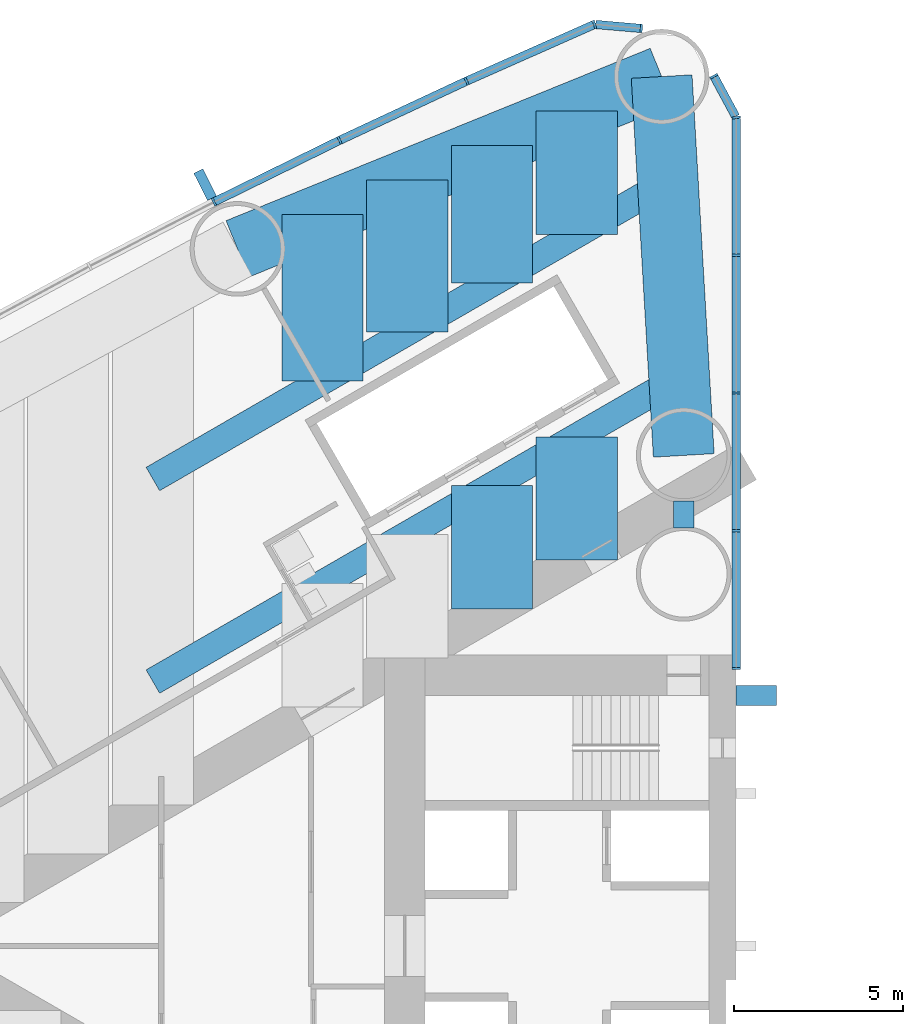
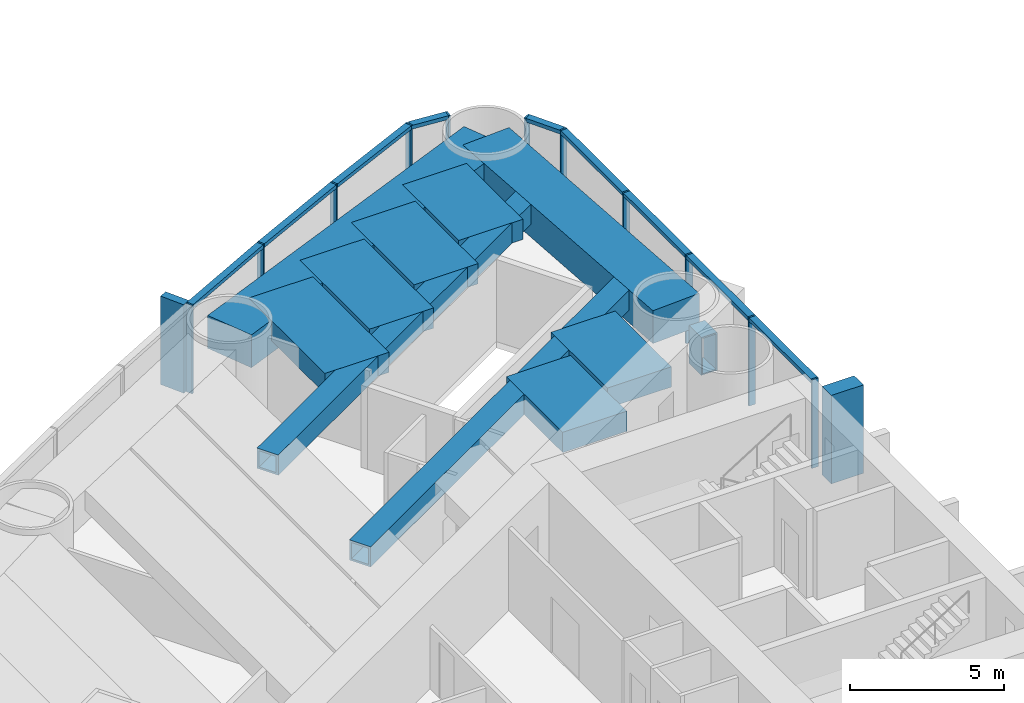
# One storey, part 5 of 18: 22 members, 11 beams, 2 elements without a shape of their own.
"""IFC4 building model written with IfcOpenShell, lengths in metres."""

from ifc_helpers import new_model, si_unit, direction, frame, origin, origin_2d, place, context, subcontext, project, spatial, rectangle, hollow_rectangle, extrude, material, material_profile, profile_set, type_object, element, aggregate, save


model = new_model("IFC4")

# Units and contexts
model_context = context("Model", 3, precision=1e-05, world=origin(), true_north=direction((0.0, 1.0)))
body_context = subcontext(model_context, "Body", "Model", "MODEL_VIEW")
ifc_project = project(units=[si_unit("LENGTHUNIT", "METRE"), si_unit("AREAUNIT", "SQUARE_METRE"), si_unit("VOLUMEUNIT", "CUBIC_METRE"), si_unit("PLANEANGLEUNIT", "RADIAN"), si_unit("MASSUNIT", "GRAM", prefix="KILO")], contexts=[model_context])

# Site, building, storey
site_placement = place(None, origin())
site = spatial("IfcSite", under=ifc_project, at=site_placement, CompositionType="ELEMENT")
building_placement = place(site_placement, origin())
building = spatial("IfcBuilding", under=site, at=building_placement, Name="Lancet Gate Hotel", CompositionType="ELEMENT")
storey_placement = place(building_placement, frame((0.0, 0.0, 53.0)))
storey = spatial("IfcBuildingStorey", under=building, at=storey_placement, Name="L13", CompositionType="ELEMENT", Elevation=53.0)

# Curtain wall, members
ifc_material_1 = material(Name="Aluminium curtain wall", Category="aluminium")
curtain_wall_type = type_object("IfcCurtainWallType", Name="Tower unitised curtain wall", PredefinedType="USERDEFINED", material=ifc_material_1)
curtain_wall_1_placement = place(storey_placement, origin())
curtain_wall_1 = element("IfcCurtainWall", 1, at=curtain_wall_1_placement, inside=storey, type_object=curtain_wall_type, Name="T1 L13 curtain wall 1", ObjectType="UNITISED CURTAIN WALL", PredefinedType="USERDEFINED")
ifc_material_2 = material(Name="Aluminium mullion", Category="aluminium")
ifc_material_profile_1 = material_profile(ifc_material_2, rectangle(XDim=0.06494140625, YDim=0.25, at=origin_2d()), Name="MULLION 65x250")
ifc_profile_set_1 = profile_set([ifc_material_profile_1], Name="Aluminium mullion")
member_type_1 = type_object("IfcMemberType", Name="Aluminium mullion 65x250", PredefinedType="MULLION", material=ifc_profile_set_1)
member_1_placement = place(storey_placement, frame((-27.5, 8.199951171875, 0.0), z_axis=(0.0, 0.0, 1.0), x_axis=(0.0, 1.0, 0.0)))
member_1 = element("IfcMember", 2, at=member_1_placement, type_object=member_type_1, Name="T1 L13 curtain wall 1 mullion 1", PredefinedType="MULLION", context=body_context, shape_type="SweptSolid", body=[
    extrude(rectangle(XDim=0.06494140625, YDim=0.25, at=origin_2d()), origin(), (0.0, 0.0, 1.0), 3.5),
])
member_2_placement = place(storey_placement, frame((-27.5, 12.272705078125, 0.0), z_axis=(0.0, 0.0, 1.0), x_axis=(0.0, 1.0, 0.0)))
member_2 = element("IfcMember", 3, at=member_2_placement, type_object=member_type_1, Name="T1 L13 curtain wall 1 mullion 2", PredefinedType="MULLION", context=body_context, shape_type="SweptSolid", body=[
    extrude(rectangle(XDim=0.06494140625, YDim=0.25, at=origin_2d()), origin(), (0.0, 0.0, 1.0), 3.5),
])
member_3_placement = place(storey_placement, frame((-27.5, 16.345703125, 0.0), z_axis=(0.0, 0.0, 1.0), x_axis=(0.0, 1.0, 0.0)))
member_3 = element("IfcMember", 4, at=member_3_placement, type_object=member_type_1, Name="T1 L13 curtain wall 1 mullion 3", PredefinedType="MULLION", context=body_context, shape_type="SweptSolid", body=[
    extrude(rectangle(XDim=0.06494140625, YDim=0.25, at=origin_2d()), origin(), (0.0, 0.0, 1.0), 3.5),
])
member_4_placement = place(storey_placement, frame((-27.5, 20.41845703125, 0.0), z_axis=(0.0, 0.0, 1.0), x_axis=(0.0, 1.0, 0.0)))
member_4 = element("IfcMember", 5, at=member_4_placement, type_object=member_type_1, Name="T1 L13 curtain wall 1 mullion 4", PredefinedType="MULLION", context=body_context, shape_type="SweptSolid", body=[
    extrude(rectangle(XDim=0.06494140625, YDim=0.25, at=origin_2d()), origin(), (0.0, 0.0, 1.0), 3.5),
])
member_5_placement = place(storey_placement, frame((-27.5, 24.4912109375, 0.0), z_axis=(0.0, 0.0, 1.0), x_axis=(-0.123482502544, 0.992346749662, 0.0)))
member_5 = element("IfcMember", 6, at=member_5_placement, type_object=member_type_1, Name="T1 L13 curtain wall 1 mullion 5", PredefinedType="MULLION", context=body_context, shape_type="SweptSolid", body=[
    extrude(rectangle(XDim=0.06494140625, YDim=0.25, at=origin_2d()), origin(), (0.0, 0.0, 1.0), 3.5),
])
member_6_placement = place(storey_placement, frame((-28.158935546875, 25.712890625, 0.0), z_axis=(0.0, 0.0, 1.0), x_axis=(-0.474631040972, 0.880184852714, 0.0)))
member_6 = element("IfcMember", 7, at=member_6_placement, type_object=member_type_1, Name="T1 L13 curtain wall 1 mullion 6", PredefinedType="MULLION", context=body_context, shape_type="SweptSolid", body=[
    extrude(rectangle(XDim=0.06494140625, YDim=0.25, at=origin_2d()), origin(), (0.0, 0.0, 1.0), 3.5),
])

curtain_wall_2_placement = place(storey_placement, origin())
curtain_wall_2 = element("IfcCurtainWall", 8, at=curtain_wall_2_placement, inside=storey, type_object=curtain_wall_type, Name="T1 L13 curtain wall 2", ObjectType="UNITISED CURTAIN WALL", PredefinedType="USERDEFINED")
member_7_placement = place(storey_placement, frame((-30.3046875, 27.124755859375, 0.0), z_axis=(0.0, 0.0, 1.0), x_axis=(-0.99620380374, 0.087051602022, 0.0)))
member_7 = element("IfcMember", 9, at=member_7_placement, type_object=member_type_1, Name="T1 L13 curtain wall 2 mullion 1", PredefinedType="MULLION", context=body_context, shape_type="SweptSolid", body=[
    extrude(rectangle(XDim=0.06494140625, YDim=0.25, at=origin_2d()), origin(), (0.0, 0.0, 1.0), 3.5),
])
member_8_placement = place(storey_placement, frame((-31.688720703125, 27.24560546875, 0.0), z_axis=(0.0, 0.0, 1.0), x_axis=(-0.957524354695, -0.288352406209, 0.0)))
member_8 = element("IfcMember", 10, at=member_8_placement, type_object=member_type_1, Name="T1 L13 curtain wall 2 mullion 2", PredefinedType="MULLION", context=body_context, shape_type="SweptSolid", body=[
    extrude(rectangle(XDim=0.06494140625, YDim=0.25, at=origin_2d()), origin(), (0.0, 0.0, 1.0), 3.5),
])
member_9_placement = place(storey_placement, frame((-35.473876953125, 25.568115234375, 0.0), z_axis=(0.0, 0.0, 1.0), x_axis=(-0.910219680212, -0.414125746308, 0.0)))
member_9 = element("IfcMember", 11, at=member_9_placement, type_object=member_type_1, Name="T1 L13 curtain wall 2 mullion 3", PredefinedType="MULLION", context=body_context, shape_type="SweptSolid", body=[
    extrude(rectangle(XDim=0.06494140625, YDim=0.25, at=origin_2d()), origin(), (0.0, 0.0, 1.0), 3.5),
])
member_10_placement = place(storey_placement, frame((-39.225341796875, 23.816650390625, 0.0), z_axis=(0.0, 0.0, 1.0), x_axis=(-0.901928838337, -0.431884672772, 0.0)))
member_10 = element("IfcMember", 12, at=member_10_placement, type_object=member_type_1, Name="T1 L13 curtain wall 2 mullion 4", PredefinedType="MULLION", context=body_context, shape_type="SweptSolid", body=[
    extrude(rectangle(XDim=0.06494140625, YDim=0.25, at=origin_2d()), origin(), (0.0, 0.0, 1.0), 3.5),
])
member_11_placement = place(storey_placement, frame((-42.94189453125, 21.991943359375, 0.0), z_axis=(0.0, 0.0, 1.0), x_axis=(-0.893291549794, -0.449477704748, 0.0)))
member_11 = element("IfcMember", 13, at=member_11_placement, type_object=member_type_1, Name="T1 L13 curtain wall 2 mullion 5", PredefinedType="MULLION", context=body_context, shape_type="SweptSolid", body=[
    extrude(rectangle(XDim=0.06494140625, YDim=0.25, at=origin_2d()), origin(), (0.0, 0.0, 1.0), 3.5),
])

# Member
ifc_material_3 = material(Name="Aluminium transom", Category="aluminium")
ifc_material_profile_2 = material_profile(ifc_material_3, rectangle(XDim=0.25, YDim=0.14990234375, at=origin_2d()), Name="TRANSOM 250x150")
ifc_profile_set_2 = profile_set([ifc_material_profile_2], Name="Aluminium transom")
member_type_2 = type_object("IfcMemberType", Name="Aluminium transom 250x150", PredefinedType="USERDEFINED", material=ifc_profile_set_2)
member_12_placement = place(storey_placement, frame((-27.5, 8.232421875, 3.425048828125), z_axis=(0.0, 1.0, 0.0), x_axis=(-1.0, 0.0, 0.0)))
member_12 = element("IfcMember", 14, at=member_12_placement, type_object=member_type_2, Name="T1 L13 curtain wall 1 transom 1", ObjectType="TRANSOM", PredefinedType="USERDEFINED", context=body_context, shape_type="SweptSolid", body=[
    extrude(rectangle(XDim=0.25, YDim=0.14990234375, at=origin_2d()), origin(), (0.0, 0.0, 1.0), 4.0078125),
])

member_13_placement = place(storey_placement, frame((-27.5, 12.30517578125, 3.425048828125), z_axis=(0.0, 1.0, 0.0), x_axis=(-1.0, 0.0, 0.0)))
member_13 = element("IfcMember", 15, at=member_13_placement, type_object=member_type_2, Name="T1 L13 curtain wall 1 transom 2", ObjectType="TRANSOM", PredefinedType="USERDEFINED", context=body_context, shape_type="SweptSolid", body=[
    extrude(rectangle(XDim=0.25, YDim=0.14990234375, at=origin_2d()), origin(), (0.0, 0.0, 1.0), 4.0078125),
])

member_14_placement = place(storey_placement, frame((-27.5, 16.378173828125, 3.425048828125), z_axis=(0.0, 1.0, 0.0), x_axis=(-1.0, 0.0, 0.0)))
member_14 = element("IfcMember", 16, at=member_14_placement, type_object=member_type_2, Name="T1 L13 curtain wall 1 transom 3", ObjectType="TRANSOM", PredefinedType="USERDEFINED", context=body_context, shape_type="SweptSolid", body=[
    extrude(rectangle(XDim=0.25, YDim=0.14990234375, at=origin_2d()), origin(), (0.0, 0.0, 1.0), 4.0078125),
])

member_15_placement = place(storey_placement, frame((-27.5, 20.450927734375, 3.425048828125), z_axis=(0.0, 1.0, 0.0), x_axis=(-1.0, 0.0, 0.0)))
member_15 = element("IfcMember", 17, at=member_15_placement, type_object=member_type_2, Name="T1 L13 curtain wall 1 transom 4", ObjectType="TRANSOM", PredefinedType="USERDEFINED", context=body_context, shape_type="SweptSolid", body=[
    extrude(rectangle(XDim=0.25, YDim=0.14990234375, at=origin_2d()), origin(), (0.0, 0.0, 1.0), 4.0078125),
])

member_16_placement = place(storey_placement, frame((-27.515380859375, 24.519775390625, 3.425048828125), z_axis=(-0.474605926905, 0.880198394765, 0.0), x_axis=(-0.880198394765, -0.474605926905, 0.0)))
member_16 = element("IfcMember", 18, at=member_16_placement, type_object=member_type_2, Name="T1 L13 curtain wall 1 transom 5", ObjectType="TRANSOM", PredefinedType="USERDEFINED", context=body_context, shape_type="SweptSolid", body=[
    extrude(rectangle(XDim=0.25, YDim=0.14990234375, at=origin_2d()), origin(), (0.0, 0.0, 1.0), 1.322998046875),
])

aggregate(curtain_wall_1, [member_1, member_2, member_3, member_4, member_5, member_6, member_12, member_13, member_14, member_15, member_16])

member_17_placement = place(storey_placement, frame((-30.337158203125, 27.127685546875, 3.425048828125), z_axis=(-0.99620591587, 0.087027427779, 0.0), x_axis=(-0.087027427779, -0.99620591587, 0.0)))
member_17 = element("IfcMember", 19, at=member_17_placement, type_object=member_type_2, Name="T1 L13 curtain wall 2 transom 1", ObjectType="TRANSOM", PredefinedType="USERDEFINED", context=body_context, shape_type="SweptSolid", body=[
    extrude(rectangle(XDim=0.25, YDim=0.14990234375, at=origin_2d()), origin(), (0.0, 0.0, 1.0), 1.32421875),
])

member_18_placement = place(storey_placement, frame((-31.71826171875, 27.232421875, 3.425048828125), z_axis=(-0.914248281954, -0.405154389022, 0.0), x_axis=(0.405154389022, -0.914248281954, 0.0)))
member_18 = element("IfcMember", 20, at=member_18_placement, type_object=member_type_2, Name="T1 L13 curtain wall 2 transom 2", ObjectType="TRANSOM", PredefinedType="USERDEFINED", context=body_context, shape_type="SweptSolid", body=[
    extrude(rectangle(XDim=0.25, YDim=0.14990234375, at=origin_2d()), origin(), (0.0, 0.0, 1.0), 4.0751953125),
])

member_19_placement = place(storey_placement, frame((-35.503173828125, 25.554443359375, 3.425048828125), z_axis=(-0.906109667261, -0.423042871228, 0.0), x_axis=(0.423042871228, -0.906109667261, 0.0)))
member_19 = element("IfcMember", 21, at=member_19_placement, type_object=member_type_2, Name="T1 L13 curtain wall 2 transom 3", ObjectType="TRANSOM", PredefinedType="USERDEFINED", context=body_context, shape_type="SweptSolid", body=[
    extrude(rectangle(XDim=0.25, YDim=0.14990234375, at=origin_2d()), origin(), (0.0, 0.0, 1.0), 4.075439453125),
])

member_20_placement = place(storey_placement, frame((-39.254638671875, 23.80224609375, 3.425048828125), z_axis=(-0.897662439958, -0.440683723194, 0.0), x_axis=(0.440683723194, -0.897662439958, 0.0)))
member_20 = element("IfcMember", 22, at=member_20_placement, type_object=member_type_2, Name="T1 L13 curtain wall 2 transom 4", ObjectType="TRANSOM", PredefinedType="USERDEFINED", context=body_context, shape_type="SweptSolid", body=[
    extrude(rectangle(XDim=0.25, YDim=0.14990234375, at=origin_2d()), origin(), (0.0, 0.0, 1.0), 4.0751953125),
])

# Beams
ifc_material_4 = material(Name="Concrete C50/60", Category="concrete")
ifc_material_profile_3 = material_profile(ifc_material_4, rectangle(XDim=1.800048828125, YDim=1.300048828125, at=origin_2d()), Name="RC 1800x1300")
ifc_profile_set_3 = profile_set([ifc_material_profile_3], Name="Concrete C50/60")
beam_type_1 = type_object("IfcBeamType", Name="Edge beam RC 1800x1300", PredefinedType="SPANDREL", material=ifc_profile_set_3)
beam_1_placement = place(storey_placement, frame((-29.703369140625, 25.70263671875, 2.60009765625), z_axis=(-0.926463236197, -0.376385270667, 0.0), x_axis=(0.376385270667, -0.926463236197, 0.0)))
element("IfcBeam", 23, at=beam_1_placement, inside=storey, type_object=beam_type_1, Name="T1 edge beam EB1 L13", PredefinedType="SPANDREL", context=body_context, shape_type="SweptSolid", body=[
    extrude(rectangle(XDim=1.800048828125, YDim=1.300048828125, at=origin_2d()), origin(), (0.0, 0.0, 1.0), 13.537353515625),
])
beam_2_placement = place(storey_placement, frame((-29.703369140625, 25.70263671875, 2.60009765625), z_axis=(0.058219521912, -0.998303805096, 0.0), x_axis=(0.998303805096, 0.058219521912, 0.0)))
element("IfcBeam", 24, at=beam_2_placement, inside=storey, type_object=beam_type_1, Name="T1 edge beam EB1 L13", PredefinedType="SPANDREL", context=body_context, shape_type="SweptSolid", body=[
    extrude(rectangle(XDim=1.800048828125, YDim=1.300048828125, at=origin_2d()), origin(), (0.0, 0.0, 1.0), 11.2216796875),
])

# Member
ifc_material_5 = material(Name="Concrete C60/75", Category="concrete")
ifc_material_profile_4 = material_profile(ifc_material_5, rectangle(XDim=0.60009765625, YDim=1.199951171875, at=origin_2d()), Name="FIN 600x1200")
ifc_profile_set_4 = profile_set([ifc_material_profile_4], Name="Concrete C60/75")
member_type_3 = type_object("IfcMemberType", Name="Exposed concrete buttress pilaster 600x1200", PredefinedType="USERDEFINED", material=ifc_profile_set_4)
member_21_placement = place(storey_placement, frame((-26.909912109375, 7.39990234375, 0.0), z_axis=(0.0, 0.0, 1.0), x_axis=(0.0, 1.0, 0.0)))
element("IfcMember", 25, at=member_21_placement, inside=storey, type_object=member_type_3, Name="T1 buttress pilaster S L13", ObjectType="FIN", PredefinedType="USERDEFINED", context=body_context, shape_type="SweptSolid", body=[
    extrude(rectangle(XDim=0.60009765625, YDim=1.199951171875, at=origin_2d()), origin(), (0.0, 0.0, 1.0), 3.5),
])

ifc_material_6 = material(Name="Precast concrete C50/60", Category="concrete")
ifc_material_profile_5 = material_profile(ifc_material_6, rectangle(XDim=0.300048828125, YDim=0.89990234375, at=origin_2d()), Name="FIN 300x900")
ifc_profile_set_5 = profile_set([ifc_material_profile_5], Name="Precast concrete C50/60")
member_type_4 = type_object("IfcMemberType", Name="Exposed concrete fin 300x900", PredefinedType="USERDEFINED", material=ifc_profile_set_5)
member_22_placement = place(storey_placement, frame((-43.200439453125, 22.505615234375, 0.0), z_axis=(0.0, 0.0, 1.0), x_axis=(-0.893291549794, -0.449477704748, 0.0)))
member_22 = element("IfcMember", 26, at=member_22_placement, type_object=member_type_4, Name="T1 L13 curtain wall 2 fin 5", ObjectType="FIN", PredefinedType="USERDEFINED", context=body_context, shape_type="SweptSolid", body=[
    extrude(rectangle(XDim=0.300048828125, YDim=0.89990234375, at=origin_2d()), origin(), (0.0, 0.0, 1.0), 3.5),
])

aggregate(curtain_wall_2, [member_7, member_8, member_9, member_10, member_11, member_22, member_17, member_18, member_19, member_20])

# Beams
ifc_material_7 = material(Name="Concrete C50/60", Category="concrete")
ifc_material_profile_6 = material_profile(ifc_material_7, rectangle(XDim=2.39990234375, YDim=0.800048828125, at=origin_2d()), Name="RC 2400x800")
ifc_profile_set_6 = profile_set([ifc_material_profile_6], Name="Concrete C50/60")
beam_type_2 = type_object("IfcBeamType", Name="Floor beam RC 2400x800", PredefinedType="BEAM", material=ifc_profile_set_6)
beam_3_placement = place(storey_placement, frame((-32.213623046875, 24.682861328125, 2.85009765625), z_axis=(0.0, -1.0, 0.0), x_axis=(1.0, 0.0, 0.0)))
element("IfcBeam", 27, at=beam_3_placement, inside=storey, type_object=beam_type_2, Name="T1 floor beam F02SA L13", PredefinedType="BEAM", context=body_context, shape_type="SweptSolid", body=[
    extrude(rectangle(XDim=2.39990234375, YDim=0.800048828125, at=origin_2d()), origin(), (0.0, 0.0, 1.0), 3.643798828125),
])
beam_4_placement = place(storey_placement, frame((-32.213623046875, 15.051025390625, 2.85009765625), z_axis=(0.0, -1.0, 0.0), x_axis=(1.0, 0.0, 0.0)))
element("IfcBeam", 28, at=beam_4_placement, inside=storey, type_object=beam_type_2, Name="T1 floor beam F02SB L13", PredefinedType="BEAM", context=body_context, shape_type="SweptSolid", body=[
    extrude(rectangle(XDim=2.39990234375, YDim=0.800048828125, at=origin_2d()), origin(), (0.0, 0.0, 1.0), 3.645751953125),
])
beam_5_placement = place(storey_placement, frame((-34.720458984375, 23.664306640625, 2.85009765625), z_axis=(0.0, -1.0, 0.0), x_axis=(1.0, 0.0, 0.0)))
element("IfcBeam", 29, at=beam_5_placement, inside=storey, type_object=beam_type_2, Name="T1 floor beam F04SA L13", PredefinedType="BEAM", context=body_context, shape_type="SweptSolid", body=[
    extrude(rectangle(XDim=2.39990234375, YDim=0.800048828125, at=origin_2d()), origin(), (0.0, 0.0, 1.0), 4.07275390625),
])
beam_6_placement = place(storey_placement, frame((-34.720458984375, 13.603759765625, 2.85009765625), z_axis=(0.0, -1.0, 0.0), x_axis=(1.0, 0.0, 0.0)))
element("IfcBeam", 30, at=beam_6_placement, inside=storey, type_object=beam_type_2, Name="T1 floor beam F04SB L13", PredefinedType="BEAM", context=body_context, shape_type="SweptSolid", body=[
    extrude(rectangle(XDim=2.39990234375, YDim=0.800048828125, at=origin_2d()), origin(), (0.0, 0.0, 1.0), 3.645751953125),
])
beam_7_placement = place(storey_placement, frame((-37.227294921875, 22.64599609375, 2.85009765625), z_axis=(0.0, -1.0, 0.0), x_axis=(1.0, 0.0, 0.0)))
element("IfcBeam", 31, at=beam_7_placement, inside=storey, type_object=beam_type_2, Name="T1 floor beam F05SA L13", PredefinedType="BEAM", context=body_context, shape_type="SweptSolid", body=[
    extrude(rectangle(XDim=2.39990234375, YDim=0.800048828125, at=origin_2d()), origin(), (0.0, 0.0, 1.0), 4.501953125),
])
beam_8_placement = place(storey_placement, frame((-39.734130859375, 21.627685546875, 2.85009765625), z_axis=(0.0, -1.0, 0.0), x_axis=(1.0, 0.0, 0.0)))
element("IfcBeam", 32, at=beam_8_placement, inside=storey, type_object=beam_type_2, Name="T1 floor beam F07SA L13", PredefinedType="BEAM", context=body_context, shape_type="SweptSolid", body=[
    extrude(rectangle(XDim=2.39990234375, YDim=0.800048828125, at=origin_2d()), origin(), (0.0, 0.0, 1.0), 4.93115234375),
])
ifc_material_8 = material(Name="Steel S460QL", Category="steel")
ifc_material_profile_7 = material_profile(ifc_material_8, hollow_rectangle(XDim=0.60009765625, YDim=1.5, WallThickness=0.050048828125, at=origin_2d()), Name="BOX 1500x600x50")
ifc_profile_set_7 = profile_set([ifc_material_profile_7], Name="Steel S460QL")
beam_type_3 = type_object("IfcBeamType", Name="Inner-face link beam BOX 1500x600x50", PredefinedType="BEAM", material=ifc_profile_set_7)
beam_9_placement = place(storey_placement, frame((-29.050048828125, 13.14990234375, 2.5), z_axis=(0.0, -1.0, 0.0), x_axis=(1.0, 0.0, 0.0)))
element("IfcBeam", 33, at=beam_9_placement, inside=storey, type_object=beam_type_3, Name="T1 inner-face link beam LK1 L13", PredefinedType="BEAM", context=body_context, shape_type="SweptSolid", body=[
    extrude(hollow_rectangle(XDim=0.60009765625, YDim=1.5, WallThickness=0.050048828125, at=origin_2d()), origin(), (0.0, 0.0, 1.0), 0.7998046875),
])
ifc_material_9 = material(Name="Steel S460QL", Category="steel")
ifc_material_profile_8 = material_profile(ifc_material_9, hollow_rectangle(XDim=0.800048828125, YDim=0.800048828125, WallThickness=0.080078125, at=origin_2d()), Name="BOX 800x800x80")
ifc_profile_set_8 = profile_set([ifc_material_profile_8], Name="Steel S460QL")
beam_type_4 = type_object("IfcBeamType", Name="Trimmer beam BOX 800x800x80", PredefinedType="BEAM", material=ifc_profile_set_8)
beam_10_placement = place(storey_placement, frame((-29.18408203125, 16.800537109375, 2.85009765625), z_axis=(-0.865998945969, -0.500045823481, 0.0), x_axis=(0.500045823481, -0.865998945969, 0.0)))
element("IfcBeam", 34, at=beam_10_placement, inside=storey, type_object=beam_type_4, Name="T1 trimmer beam TR01S L13", PredefinedType="BEAM", context=body_context, shape_type="SweptSolid", body=[
    extrude(hollow_rectangle(XDim=0.800048828125, YDim=0.800048828125, WallThickness=0.080078125, at=origin_2d()), origin(), (0.0, 0.0, 1.0), 17.971923828125),
])
beam_11_placement = place(storey_placement, frame((-29.52197265625, 22.59326171875, 2.85009765625), z_axis=(-0.866004054636, -0.500036975987, 0.0), x_axis=(0.500036975987, -0.866004054636, 0.0)))
element("IfcBeam", 35, at=beam_11_placement, inside=storey, type_object=beam_type_4, Name="T1 trimmer beam TR02S L13", PredefinedType="BEAM", context=body_context, shape_type="SweptSolid", body=[
    extrude(hollow_rectangle(XDim=0.800048828125, YDim=0.800048828125, WallThickness=0.080078125, at=origin_2d()), origin(), (0.0, 0.0, 1.0), 17.581787109375),
])

save(model, "model.ifc")
